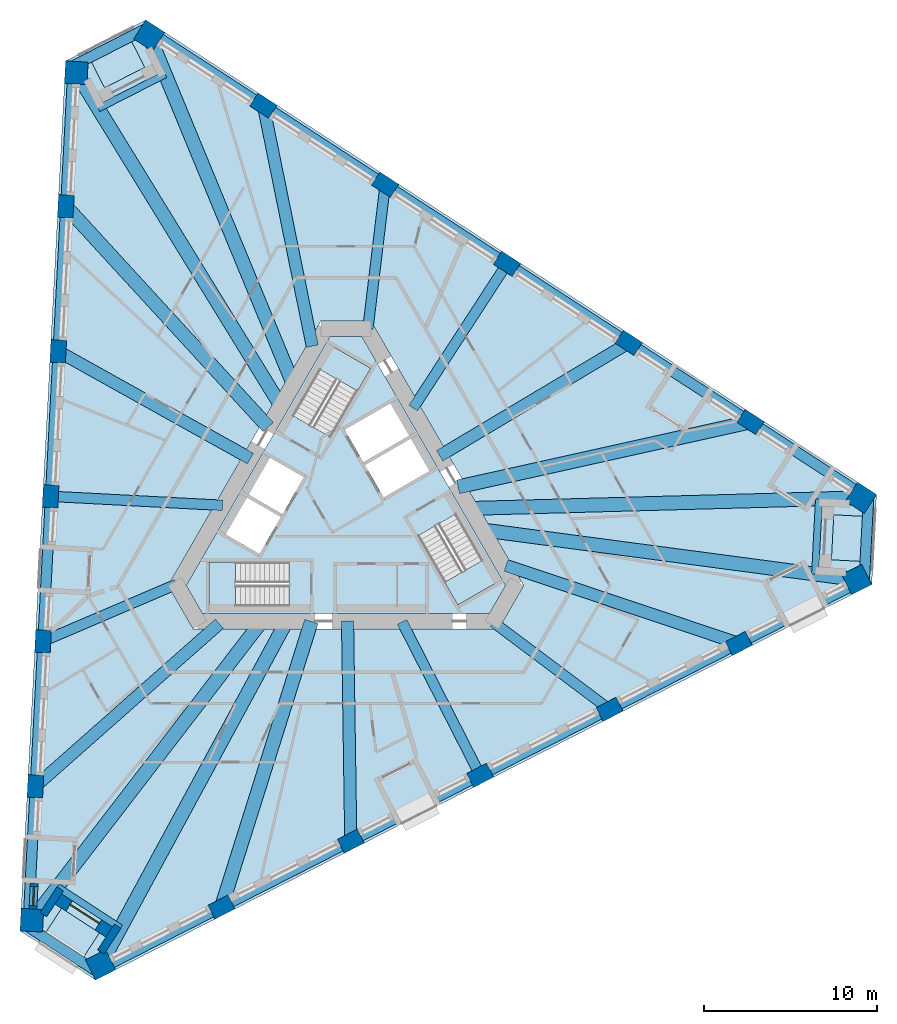
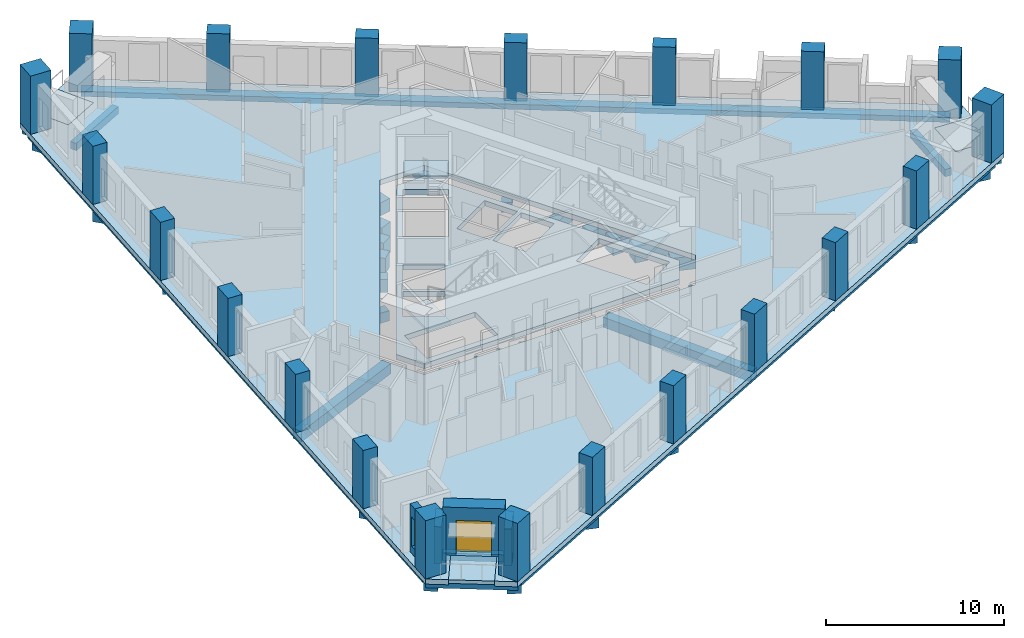
# One storey, part 1 of 13: 30 beams, 21 columns, 8 slabs, 4 walls, 1 door, 1 window, 2 openings, 3 elements without a shape of their own.
"""IFC4 building model written with IfcOpenShell, lengths in metres."""

import ifcopenshell
import ifcopenshell.guid

model = None  # the IFC model being written
_history = None  # IfcOwnerHistory: only IFC2X3 demands one
_inside = {}  # id of a spatial element -> (the spatial element, [elements in it])
_under = {}  # id of a project, library or spatial element -> (it, [spatial elements below it])
_declared = {}  # id of a project -> (the project, [libraries it declares])
_typed = {}  # id of a type object -> (the type object, [elements of that type])
_made_of = {}  # id of a material, layer set ... -> (it, [elements and type objects made of it])


def new_model(schema):
    """Start an empty IFC model of exactly this schema.

    Asked for "IFC4X3", IfcOpenShell would pick the latest addendum, in which some entities
    have other attributes; the version numbers below select the first issue.
    IFC2X3 requires an IfcOwnerHistory on every rooted entity: one is made here for all.
    """
    global model, _history
    if schema == "IFC4X3":
        model = ifcopenshell.file(schema_version=(4, 3, 0, 0))
    else:
        model = ifcopenshell.file(schema=schema)
    _inside.clear()
    _under.clear()
    _declared.clear()
    _typed.clear()
    _made_of.clear()
    _history = None
    if model.schema == "IFC2X3":
        org = make("IfcOrganization", Name="unknown")
        user = make(
            "IfcPersonAndOrganization",
            ThePerson=make("IfcPerson", FamilyName="unknown"),
            TheOrganization=org,
        )
        app = make(
            "IfcApplication",
            ApplicationDeveloper=org,
            Version="unknown",
            ApplicationFullName="unknown",
            ApplicationIdentifier="unknown",
        )
        _history = make(
            "IfcOwnerHistory",
            OwningUser=user,
            OwningApplication=app,
            ChangeAction="ADDED",
            CreationDate=0,
        )
    return model


def make(cls, **values):
    """One entity of the class cls with the attributes given. An attribute that is None is left unset."""
    return model.create_entity(
        cls, **{name: value for name, value in values.items() if value is not None}
    )


def rooted(cls, **values):
    """An entity with a GlobalId (a new one), such as an element, a storey or a relation."""
    return make(cls, GlobalId=ifcopenshell.guid.new(), OwnerHistory=_history, **values)


def si_unit(unit_type, name, prefix=None):
    """IfcSIUnit, for example si_unit("LENGTHUNIT", "METRE", prefix="MILLI")."""
    return make("IfcSIUnit", UnitType=unit_type, Prefix=prefix, Name=name)


def assignment(units):
    """IfcUnitAssignment: the units of a project."""
    return None if units is None else make("IfcUnitAssignment", Units=units)


def point(xyz):
    """IfcCartesianPoint."""
    return None if xyz is None else make("IfcCartesianPoint", Coordinates=xyz)


def direction(xyz):
    """IfcDirection."""
    return None if xyz is None else make("IfcDirection", DirectionRatios=xyz)


def frame(location, z_axis=None, x_axis=None):
    """IfcAxis2Placement3D, a coordinate frame: its origin and axes. An axis left out is left unset."""
    return make(
        "IfcAxis2Placement3D",
        Location=point(location),
        Axis=direction(z_axis),
        RefDirection=direction(x_axis),
    )


def frame_2d(location, x_axis=None):
    """IfcAxis2Placement2D, a coordinate frame in the plane: its origin and x axis."""
    return make(
        "IfcAxis2Placement2D", Location=point(location), RefDirection=direction(x_axis)
    )


def origin():
    """The frame at (0, 0, 0) with its axes left unset."""
    return frame((0.0, 0.0, 0.0))


def origin_2d():
    """The frame at (0, 0) in the plane with its x axis left unset."""
    return frame_2d((0.0, 0.0))


def place(relative_to, where):
    """IfcLocalPlacement: puts the frame where relative to a parent placement (None: the world)."""
    return make(
        "IfcLocalPlacement", PlacementRelTo=relative_to, RelativePlacement=where
    )


def context(
    kind, dimensions, precision=None, world=None, true_north=None, identifier=None
):
    """IfcGeometricRepresentationContext, for example the 3D "Model" context."""
    return make(
        "IfcGeometricRepresentationContext",
        ContextIdentifier=identifier,
        ContextType=kind,
        CoordinateSpaceDimension=dimensions,
        Precision=precision,
        WorldCoordinateSystem=world,
        TrueNorth=true_north,
    )


def subcontext(parent, identifier, kind, view, scale=None):
    """IfcGeometricRepresentationSubContext, for example "Body" below "Model"."""
    return make(
        "IfcGeometricRepresentationSubContext",
        ContextIdentifier=identifier,
        ContextType=kind,
        ParentContext=parent,
        TargetScale=scale,
        TargetView=view,
    )


def project(units=None, contexts=None):
    """IfcProject with its units and contexts."""
    return rooted(
        "IfcProject",
        Name="project",
        RepresentationContexts=contexts,
        UnitsInContext=assignment(units),
    )


def spatial(cls, under=None, at=None, **own):
    """A site, building, storey or space (cls), placed at a placement, below another one or the project."""
    s = rooted(cls, ObjectPlacement=at, **own)
    if under is not None:
        _under.setdefault(under.id(), (under, []))[1].append(s)
    return s


def polyline(points):
    """IfcPolyline through the points."""
    return make("IfcPolyline", Points=[point(p) for p in points])


def profile(cls, at=None, kind="AREA", **sizes):
    """A parametric profile (cls). Its sizes go by their IFC names, for example OverallWidth=200.0."""
    return make(cls, ProfileType=kind, Position=at, **sizes)


def rectangle(**sizes):
    """IfcRectangleProfileDef."""
    return profile("IfcRectangleProfileDef", **sizes)


def outline(outer, holes=None, kind="AREA"):
    """IfcArbitraryClosedProfileDef: a profile drawn as a closed curve; with holes, ...WithVoids."""
    if holes is None:
        return make("IfcArbitraryClosedProfileDef", ProfileType=kind, OuterCurve=outer)
    return make(
        "IfcArbitraryProfileDefWithVoids",
        ProfileType=kind,
        OuterCurve=outer,
        InnerCurves=holes,
    )


def extrude(swept, where, along, depth):
    """IfcExtrudedAreaSolid: the profile swept, set in the frame where, extruded along a direction by depth."""
    return make(
        "IfcExtrudedAreaSolid",
        SweptArea=swept,
        Position=where,
        ExtrudedDirection=direction(along),
        Depth=depth,
    )


def shape(context_of_items, identifier, shape_type, items):
    """IfcShapeRepresentation: the items that make up one representation, for example the "Body"."""
    return make(
        "IfcShapeRepresentation",
        ContextOfItems=context_of_items,
        RepresentationIdentifier=identifier,
        RepresentationType=shape_type,
        Items=items,
    )


def material(Name=None, Category=None):
    """IfcMaterial."""
    return make("IfcMaterial", Name=Name, Category=Category)


def layer(
    of_material, thickness, ventilated=None, Name=None, Category=None, Priority=None
):
    """IfcMaterialLayer: one layer of a wall or slab, of a material (None: an air gap)."""
    return make(
        "IfcMaterialLayer",
        Material=of_material,
        LayerThickness=thickness,
        IsVentilated=ventilated,
        Name=Name,
        Category=Category,
        Priority=Priority,
    )


def layer_set(layers, Name=None):
    """IfcMaterialLayerSet."""
    return make("IfcMaterialLayerSet", MaterialLayers=layers, LayerSetName=Name)


def material_profile(
    of_material, cross_section, Name=None, Category=None, Priority=None
):
    """IfcMaterialProfile: a cross section and its material."""
    return make(
        "IfcMaterialProfile",
        Name=Name,
        Material=of_material,
        Profile=cross_section,
        Priority=Priority,
        Category=Category,
    )


def profile_set(profiles, Name=None, composite=None):
    """IfcMaterialProfileSet."""
    return make(
        "IfcMaterialProfileSet",
        Name=Name,
        MaterialProfiles=profiles,
        CompositeProfile=composite,
    )


def made_of(thing, what):
    """Note that an element or type object is made of a material, layer set ...; save() writes the relation."""
    if what is not None:
        _made_of.setdefault(what.id(), (what, []))[1].append(thing)
    return thing


def type_object(cls, material=None, **own):
    """A type object (cls), such as IfcWallType, which elements share."""
    return made_of(rooted(cls, **own), material)


def element(
    cls,
    number,
    at=None,
    inside=None,
    cuts=None,
    type_object=None,
    material=None,
    context=None,
    identifier="Body",
    shape_type=None,
    held_by="IfcProductDefinitionShape",
    body=None,
    shapes=None,
    **own,
):
    """One element of the class cls, such as IfcWall. Its Tag is "e" and its number.

    at: its placement. inside: the storey or other place that contains it. cuts: it is an
    opening in that element (IfcRelVoidsElement). A single representation is given by context,
    identifier, shape_type and body (its items); several are given by shapes. held_by: the class
    of the entity that holds the representations. save() writes the other relations.
    """
    e = rooted(cls, Tag="e%d" % number, ObjectPlacement=at, **own)
    if body is not None:
        shapes = [shape(context, identifier, shape_type, body)]
    if shapes is not None:
        e.Representation = make(held_by, Representations=shapes)
    if inside is not None:
        _inside.setdefault(inside.id(), (inside, []))[1].append(e)
    if cuts is not None:
        rooted(
            "IfcRelVoidsElement", RelatingBuildingElement=cuts, RelatedOpeningElement=e
        )
    if type_object is not None:
        _typed.setdefault(type_object.id(), (type_object, []))[1].append(e)
    return made_of(e, material)


def fill(opening, filler):
    """IfcRelFillsElement: the door or window that sits in an opening."""
    return rooted(
        "IfcRelFillsElement",
        RelatingOpeningElement=opening,
        RelatedBuildingElement=filler,
    )


def aggregate(whole, parts):
    """IfcRelAggregates: a whole, such as a stair, and the parts it consists of."""
    return rooted("IfcRelAggregates", RelatingObject=whole, RelatedObjects=parts)


def save(model, path):
    """Write the relations noted so far, then the file.

    IfcRelAggregates (storeys below a building ...), IfcRelContainedInSpatialStructure (elements
    in a storey), IfcRelDefinesByType, IfcRelAssociatesMaterial and IfcRelDeclares: one each for
    every whole, place, type object, material and project.
    """
    for whole, parts in _under.values():
        aggregate(whole, parts)
    for where, things in _inside.values():
        rooted(
            "IfcRelContainedInSpatialStructure",
            RelatedElements=things,
            RelatingStructure=where,
        )
    for kind, things in _typed.values():
        rooted("IfcRelDefinesByType", RelatedObjects=things, RelatingType=kind)
    for what, things in _made_of.values():
        rooted("IfcRelAssociatesMaterial", RelatedObjects=things, RelatingMaterial=what)
    for by, libraries in _declared.values():
        rooted("IfcRelDeclares", RelatingContext=by, RelatedDefinitions=libraries)
    model.write(path)


model = new_model("IFC4")

# Units and contexts
model_context = context("Model", 3, precision=1e-05, world=origin(), true_north=direction((0.0, 1.0)))
body_context = subcontext(model_context, "Body", "Model", "MODEL_VIEW")
ifc_project = project(units=[si_unit("LENGTHUNIT", "METRE"), si_unit("AREAUNIT", "SQUARE_METRE"), si_unit("VOLUMEUNIT", "CUBIC_METRE"), si_unit("PLANEANGLEUNIT", "RADIAN"), si_unit("MASSUNIT", "GRAM", prefix="KILO")], contexts=[model_context])

# Site, building, storey
site_placement = place(None, origin())
site = spatial("IfcSite", under=ifc_project, at=site_placement, CompositionType="ELEMENT")
building_placement = place(site_placement, origin())
building = spatial("IfcBuilding", under=site, at=building_placement, Name="Tramontana Tower", CompositionType="ELEMENT")
storey_placement = place(building_placement, frame((0.0, 0.0, 145.60009765625)))
storey = spatial("IfcBuildingStorey", under=building, at=storey_placement, Name="L33", CompositionType="ELEMENT", Elevation=145.60009765625)

# Columns
ifc_material_1 = material(Name="Concrete 70 MPa", Category="concrete")
ifc_material_profile_1 = material_profile(ifc_material_1, rectangle(XDim=1.300048828125, YDim=1.300048828125, at=origin_2d()), Name="Mega column 1300X1300 70 MPa")
ifc_profile_set_1 = profile_set([ifc_material_profile_1], Name="Concrete 70 MPa")
column_type_1 = type_object("IfcColumnType", Name="Mega column 1300X1300 70 MPa", PredefinedType="COLUMN", material=ifc_profile_set_1)
for number, where, z_axis, x_axis, name in (
    (1, (-15.546630859375, 25.31298828125, 0.0), (0.0, 0.0, 1.0), (-0.052335956243, -0.998629534755, 0.0), "Mega column C3K1 L33"),
    (2, (-18.107177734375, -23.54931640625, 0.0), (0.0, 0.0, 1.0), (-0.052335956243, -0.998629534755, 0.0), "Mega column C3K2 L33"),
    (3, (-14.1484375, -26.1201171875, 0.0), (0.0, 0.0, 1.0), (0.891006524188, 0.45399049974, 0.0), "Mega column C3K3 L33"),
    (4, (29.447998046875, -3.90673828125, 0.0), (0.0, 0.0, 1.0), (0.891006524188, 0.45399049974, 0.0), "Mega column C3K4 L33"),
    (5, (29.695068359375, 0.80712890625, 0.0), (0.0, 0.0, 1.0), (-0.838670567945, 0.544639035015, 0.0), "Mega column C3K5 L33"),
    (6, (-11.340576171875, 27.4560546875, 0.0), (0.0, 0.0, 1.0), (-0.838670567945, 0.544639035015, 0.0), "Mega column C3K6 L33"),
):
    element("IfcColumn", number, at=place(storey_placement, frame(where, z_axis=z_axis, x_axis=x_axis)), inside=storey, type_object=column_type_1, Name=name, PredefinedType="COLUMN", context=body_context, shape_type="SweptSolid", body=[
        extrude(rectangle(XDim=1.300048828125, YDim=1.300048828125, at=origin_2d()), origin(), (0.0, 0.0, 1.0), 4.0),
    ])
ifc_material_2 = material(Name="Concrete 55 MPa", Category="concrete")
ifc_material_profile_2 = material_profile(ifc_material_2, rectangle(XDim=1.300048828125, YDim=0.89990234375, at=origin_2d()), Name="Pier column 1300X900 55 MPa")
ifc_profile_set_2 = profile_set([ifc_material_profile_2], Name="Concrete 55 MPa")
column_type_2 = type_object("IfcColumnType", Name="Pier column 1300X900 55 MPa", PredefinedType="COLUMN", material=ifc_profile_set_2)
for number, where, z_axis, x_axis, name in (
    (7, (-16.150390625, 17.612548828125, 0.0), (0.0, 0.0, 1.0), (-0.052335956243, -0.998629534755, 0.0), "Pier column C3F01 L33"),
    (8, (-16.58837890625, 9.25244140625, 0.0), (0.0, 0.0, 1.0), (-0.052335956243, -0.998629534755, 0.0), "Pier column C3F02 L33"),
    (9, (-17.026611328125, 0.892333984375, 0.0), (0.0, 0.0, 1.0), (-0.052335956243, -0.998629534755, 0.0), "Pier column C3F03 L33"),
    (10, (-17.46484375, -7.4677734375, 0.0), (0.0, 0.0, 1.0), (-0.052335956243, -0.998629534755, 0.0), "Pier column C3F04 L33"),
    (11, (-17.90283203125, -15.827880859375, 0.0), (0.0, 0.0, 1.0), (-0.052335956243, -0.998629534755, 0.0), "Pier column C3F05 L33"),
    (12, (-7.177734375, -22.79296875, 0.0), (0.0, 0.0, 1.0), (0.891006524188, 0.45399049974, 0.0), "Pier column C3F06 L33"),
    (13, (0.281494140625, -18.9921875, 0.0), (0.0, 0.0, 1.0), (0.891006524188, 0.45399049974, 0.0), "Pier column C3F07 L33"),
    (14, (7.740478515625, -15.191650390625, 0.0), (0.0, 0.0, 1.0), (0.891006524188, 0.45399049974, 0.0), "Pier column C3F08 L33"),
    (15, (15.19970703125, -11.39111328125, 0.0), (0.0, 0.0, 1.0), (0.891006524188, 0.45399049974, 0.0), "Pier column C3F09 L33"),
    (16, (22.65869140625, -7.59033203125, 0.0), (0.0, 0.0, 1.0), (0.891006524188, 0.45399049974, 0.0), "Pier column C3F10 L33"),
    (17, (23.328125, 5.180419921875, 0.0), (0.0, 0.0, 1.0), (-0.838670567945, 0.544639035015, 0.0), "Pier column C3F11 L33"),
    (18, (16.30712890625, 9.73974609375, 0.0), (0.0, 0.0, 1.0), (-0.838670567945, 0.544639035015, 0.0), "Pier column C3F12 L33"),
    (19, (9.2861328125, 14.29931640625, 0.0), (0.0, 0.0, 1.0), (-0.838670567945, 0.544639035015, 0.0), "Pier column C3F13 L33"),
    (20, (2.26513671875, 18.85888671875, 0.0), (0.0, 0.0, 1.0), (-0.838670567945, 0.544639035015, 0.0), "Pier column C3F14 L33"),
    (21, (-4.755859375, 23.418212890625, 0.0), (0.0, 0.0, 1.0), (-0.838670567945, 0.544639035015, 0.0), "Pier column C3F15 L33"),
):
    element("IfcColumn", number, at=place(storey_placement, frame(where, z_axis=z_axis, x_axis=x_axis)), inside=storey, type_object=column_type_2, Name=name, PredefinedType="COLUMN", context=body_context, shape_type="SweptSolid", body=[
        extrude(rectangle(XDim=1.300048828125, YDim=0.89990234375, at=origin_2d()), origin(), (0.0, 0.0, 1.0), 4.0),
    ])

# Beams
ifc_material_3 = material(Name="Concrete 40 MPa", Category="concrete")
ifc_material_profile_3 = material_profile(ifc_material_3, rectangle(XDim=0.60009765625, YDim=0.35009765625, at=origin_2d()), Name="RC EDGE BEAM 600X350 40 MPa")
ifc_profile_set_3 = profile_set([ifc_material_profile_3], Name="Concrete 40 MPa")
beam_type_1 = type_object("IfcBeamType", Name="RC EDGE BEAM 600X350 40 MPa", PredefinedType="SPANDREL", material=ifc_profile_set_3)
for number, where, z_axis, x_axis, name in (
    (22, (-15.74609375, 25.323486328125, -0.525146484375), (-0.052336488944, -0.998629506837, 0.0), (0.998629506837, -0.052336488944, 0.0), "Spandrel beam S0 L33"),
    (23, (-14.0576171875, -26.29833984375, -0.525146484375), (0.89100747088, 0.453988641748, 0.0), (-0.453988641748, 0.89100747088, 0.0), "Spandrel beam S1 L33"),
    (24, (29.803955078125, 0.974853515625, -0.525146484375), (-0.838669945923, 0.544639992844, 0.0), (-0.544639992844, -0.838669945923, 0.0), "Spandrel beam S2 L33"),
):
    element("IfcBeam", number, at=place(storey_placement, frame(where, z_axis=z_axis, x_axis=x_axis)), inside=storey, type_object=beam_type_1, Name=name, PredefinedType="SPANDREL", context=body_context, shape_type="SweptSolid", body=[
        extrude(rectangle(XDim=0.60009765625, YDim=0.35009765625, at=origin_2d()), origin(), (0.0, 0.0, 1.0), 48.929443359375),
    ])
for number, where, z_axis, x_axis, name in (
    (25, (-11.327392578125, 27.9541015625, -0.525146484375), (-0.891018699398, -0.453966603753, 0.0), (0.453966603753, -0.891018699398, 0.0), "Spandrel beam K0 L33"),
    (26, (-18.54541015625, -23.787109375, -0.525146484375), (0.838668969916, -0.544641495757, 0.0), (0.544641495757, 0.838668969916, 0.0), "Spandrel beam K1 L33"),
):
    element("IfcBeam", number, at=place(storey_placement, frame(where, z_axis=z_axis, x_axis=x_axis)), inside=storey, type_object=beam_type_1, Name=name, PredefinedType="SPANDREL", context=body_context, shape_type="SweptSolid", body=[
        extrude(rectangle(XDim=0.60009765625, YDim=0.35009765625, at=origin_2d()), origin(), (0.0, 0.0, 1.0), 5.1962890625),
    ])
beam_1_placement = place(storey_placement, frame((29.872802734375, -4.167236328125, -0.525146484375), z_axis=(0.052341816109, 0.998629227635, 0.0), x_axis=(-0.998629227635, 0.052341816109, 0.0)))
element("IfcBeam", 27, at=beam_1_placement, inside=storey, type_object=beam_type_1, Name="Spandrel beam K2 L33", PredefinedType="SPANDREL", context=body_context, shape_type="SweptSolid", body=[
    extrude(rectangle(XDim=0.60009765625, YDim=0.35009765625, at=origin_2d()), origin(), (0.0, 0.0, 1.0), 5.196044921875),
])
ifc_material_4 = material(Name="Concrete 40 MPa", Category="concrete")
ifc_material_profile_4 = material_profile(ifc_material_4, rectangle(XDim=0.60009765625, YDim=0.699951171875, at=origin_2d()), Name="RC GIRDER 600X700 40 MPa")
ifc_profile_set_4 = profile_set([ifc_material_profile_4], Name="Concrete 40 MPa")
beam_type_2 = type_object("IfcBeamType", Name="RC GIRDER 600X700 40 MPa", PredefinedType="BEAM", material=ifc_profile_set_4)
beam_2_placement = place(storey_placement, frame((-17.026611328125, 0.892333984375, -0.7001953125), z_axis=(0.998628816447, -0.052349660575, 0.0), x_axis=(0.052349660575, 0.998628816447, 0.0)))
element("IfcBeam", 28, at=beam_2_placement, inside=storey, type_object=beam_type_2, Name="Radial girder C3F03 L33", PredefinedType="BEAM", context=body_context, shape_type="SweptSolid", body=[
    extrude(rectangle(XDim=0.60009765625, YDim=0.699951171875, at=origin_2d()), origin(), (0.0, 0.0, 1.0), 9.92431640625),
])
beam_3_placement = place(storey_placement, frame((-17.46484375, -7.4677734375, -0.7001953125), z_axis=(0.919473795441, 0.393151293394, 0.0), x_axis=(-0.393151293394, 0.919473795441, 0.0)))
element("IfcBeam", 29, at=beam_3_placement, inside=storey, type_object=beam_type_2, Name="Radial girder C3F04 L33", PredefinedType="BEAM", context=body_context, shape_type="SweptSolid", body=[
    extrude(rectangle(XDim=0.60009765625, YDim=0.699951171875, at=origin_2d()), origin(), (0.0, 0.0, 1.0), 8.365234375),
])
beam_4_placement = place(storey_placement, frame((7.740478515625, -15.191650390625, -0.7001953125), z_axis=(-0.453980690523, 0.891011522166, 0.0), x_axis=(-0.891011522166, -0.453980690523, 0.0)))
element("IfcBeam", 30, at=beam_4_placement, inside=storey, type_object=beam_type_2, Name="Radial girder C3F08 L33", PredefinedType="BEAM", context=body_context, shape_type="SweptSolid", body=[
    extrude(rectangle(XDim=0.60009765625, YDim=0.699951171875, at=origin_2d()), origin(), (0.0, 0.0, 1.0), 9.924072265625),
])
beam_5_placement = place(storey_placement, frame((15.19970703125, -11.39111328125, -0.7001953125), z_axis=(-0.800213580839, 0.599715119904, 0.0), x_axis=(-0.599715119904, -0.800213580839, 0.0)))
element("IfcBeam", 31, at=beam_5_placement, inside=storey, type_object=beam_type_2, Name="Radial girder C3F09 L33", PredefinedType="BEAM", context=body_context, shape_type="SweptSolid", body=[
    extrude(rectangle(XDim=0.60009765625, YDim=0.699951171875, at=origin_2d()), origin(), (0.0, 0.0, 1.0), 8.365478515625),
])
beam_6_placement = place(storey_placement, frame((9.2861328125, 14.29931640625, -0.7001953125), z_axis=(-0.54464589271, -0.838666114466, 0.0), x_axis=(0.838666114466, -0.54464589271, 0.0)))
element("IfcBeam", 32, at=beam_6_placement, inside=storey, type_object=beam_type_2, Name="Radial girder C3F13 L33", PredefinedType="BEAM", context=body_context, shape_type="SweptSolid", body=[
    extrude(rectangle(XDim=0.60009765625, YDim=0.699951171875, at=origin_2d()), origin(), (0.0, 0.0, 1.0), 9.92431640625),
])
beam_7_placement = place(storey_placement, frame((2.26513671875, 18.85888671875, -0.7001953125), z_axis=(-0.119248793527, -0.992864404258, 0.0), x_axis=(0.992864404258, -0.119248793527, 0.0)))
element("IfcBeam", 33, at=beam_7_placement, inside=storey, type_object=beam_type_2, Name="Radial girder C3F14 L33", PredefinedType="BEAM", context=body_context, shape_type="SweptSolid", body=[
    extrude(rectangle(XDim=0.60009765625, YDim=0.699951171875, at=origin_2d()), origin(), (0.0, 0.0, 1.0), 8.365234375),
])
ifc_material_5 = material(Name="Concrete 40 MPa", Category="concrete")
ifc_material_profile_5 = material_profile(ifc_material_5, rectangle(XDim=0.699951171875, YDim=0.89990234375, at=origin_2d()), Name="RC GIRDER 700X900 40 MPa")
ifc_profile_set_5 = profile_set([ifc_material_profile_5], Name="Concrete 40 MPa")
beam_type_3 = type_object("IfcBeamType", Name="RC GIRDER 700X900 40 MPa", PredefinedType="BEAM", material=ifc_profile_set_5)
beam_8_placement = place(storey_placement, frame((-16.58837890625, 9.25244140625, -0.800048828125), z_axis=(0.873332247198, -0.487125020917, 0.0), x_axis=(0.487125020917, 0.873332247198, 0.0)))
element("IfcBeam", 34, at=beam_8_placement, inside=storey, type_object=beam_type_3, Name="Radial girder C3F02 L33", PredefinedType="BEAM", context=body_context, shape_type="SweptSolid", body=[
    extrude(rectangle(XDim=0.699951171875, YDim=0.89990234375, at=origin_2d()), origin(), (0.0, 0.0, 1.0), 12.693603515625),
])
beam_9_placement = place(storey_placement, frame((-17.90283203125, -15.827880859375, -0.800048828125), z_axis=(0.74918417634, 0.662361736456, 0.0), x_axis=(-0.662361736456, 0.74918417634, 0.0)))
element("IfcBeam", 35, at=beam_9_placement, inside=storey, type_object=beam_type_3, Name="Radial girder C3F05 L33", PredefinedType="BEAM", context=body_context, shape_type="SweptSolid", body=[
    extrude(rectangle(XDim=0.699951171875, YDim=0.89990234375, at=origin_2d()), origin(), (0.0, 0.0, 1.0), 14.1552734375),
])
beam_10_placement = place(storey_placement, frame((0.281494140625, -18.9921875, -0.800048828125), z_axis=(-0.014829000023, 0.999890044334, 0.0), x_axis=(-0.999890044334, -0.014829000023, 0.0)))
element("IfcBeam", 36, at=beam_10_placement, inside=storey, type_object=beam_type_3, Name="Radial girder C3F07 L33", PredefinedType="BEAM", context=body_context, shape_type="SweptSolid", body=[
    extrude(rectangle(XDim=0.699951171875, YDim=0.89990234375, at=origin_2d()), origin(), (0.0, 0.0, 1.0), 12.693603515625),
])
beam_11_placement = place(storey_placement, frame((22.65869140625, -7.59033203125, -0.800048828125), z_axis=(-0.948211400457, 0.317639953476, 0.0), x_axis=(-0.317639953476, -0.948211400457, 0.0)))
element("IfcBeam", 37, at=beam_11_placement, inside=storey, type_object=beam_type_3, Name="Radial girder C3F10 L33", PredefinedType="BEAM", context=body_context, shape_type="SweptSolid", body=[
    extrude(rectangle(XDim=0.699951171875, YDim=0.89990234375, at=origin_2d()), origin(), (0.0, 0.0, 1.0), 14.155517578125),
])
beam_12_placement = place(storey_placement, frame((16.30712890625, 9.73974609375, -0.800048828125), z_axis=(-0.858533155932, -0.512758052268, 0.0), x_axis=(0.512758052268, -0.858533155932, 0.0)))
element("IfcBeam", 38, at=beam_12_placement, inside=storey, type_object=beam_type_3, Name="Radial girder C3F12 L33", PredefinedType="BEAM", context=body_context, shape_type="SweptSolid", body=[
    extrude(rectangle(XDim=0.699951171875, YDim=0.89990234375, at=origin_2d()), origin(), (0.0, 0.0, 1.0), 12.693603515625),
])
beam_13_placement = place(storey_placement, frame((-4.755859375, 23.418212890625, -0.800048828125), z_axis=(0.199014115168, -0.979996623445, 0.0), x_axis=(0.979996623445, 0.199014115168, 0.0)))
element("IfcBeam", 39, at=beam_13_placement, inside=storey, type_object=beam_type_3, Name="Radial girder C3F15 L33", PredefinedType="BEAM", context=body_context, shape_type="SweptSolid", body=[
    extrude(rectangle(XDim=0.699951171875, YDim=0.89990234375, at=origin_2d()), origin(), (0.0, 0.0, 1.0), 14.155517578125),
])
ifc_material_6 = material(Name="Concrete 40 MPa", Category="concrete")
ifc_material_profile_6 = material_profile(ifc_material_6, rectangle(XDim=0.800048828125, YDim=1.10009765625, at=origin_2d()), Name="RC GIRDER 800X1100 40 MPa")
ifc_profile_set_6 = profile_set([ifc_material_profile_6], Name="Concrete 40 MPa")
beam_type_4 = type_object("IfcBeamType", Name="RC GIRDER 800X1100 40 MPa", PredefinedType="BEAM", material=ifc_profile_set_6)
beam_14_placement = place(storey_placement, frame((-15.54638671875, 25.31298828125, -0.900146484375), z_axis=(0.523345221795, -0.852120753664, 0.0), x_axis=(0.852120753664, 0.523345221795, 0.0)))
element("IfcBeam", 40, at=beam_14_placement, inside=storey, type_object=beam_type_4, Name="Radial girder C3K1 L33", PredefinedType="BEAM", context=body_context, shape_type="SweptSolid", body=[
    extrude(rectangle(XDim=0.800048828125, YDim=1.10009765625, at=origin_2d()), origin(), (0.0, 0.0, 1.0), 22.479248046875),
])
beam_15_placement = place(storey_placement, frame((-16.150390625, 17.612548828125, -0.900146484375), z_axis=(0.675852012308, -0.737037351469, 0.0), x_axis=(0.737037351469, 0.675852012308, 0.0)))
element("IfcBeam", 41, at=beam_15_placement, inside=storey, type_object=beam_type_4, Name="Radial girder C3F01 L33", PredefinedType="BEAM", context=body_context, shape_type="SweptSolid", body=[
    extrude(rectangle(XDim=0.800048828125, YDim=1.10009765625, at=origin_2d()), origin(), (0.0, 0.0, 1.0), 17.26953125),
])
beam_16_placement = place(storey_placement, frame((-18.107421875, -23.54931640625, -0.900146484375), z_axis=(0.609557551485, 0.792741818896, 0.0), x_axis=(-0.792741818896, 0.609557551485, 0.0)))
element("IfcBeam", 42, at=beam_16_placement, inside=storey, type_object=beam_type_4, Name="Radial girder C3K2 L33", PredefinedType="BEAM", context=body_context, shape_type="SweptSolid", body=[
    extrude(rectangle(XDim=0.800048828125, YDim=1.10009765625, at=origin_2d()), origin(), (0.0, 0.0, 1.0), 21.641357421875),
])
beam_17_placement = place(storey_placement, frame((-14.1484375, -26.1201171875, -0.900146484375), z_axis=(0.476284198163, 0.879291397991, 0.0), x_axis=(-0.879291397991, 0.476284198163, 0.0)))
element("IfcBeam", 43, at=beam_17_placement, inside=storey, type_object=beam_type_4, Name="Radial girder C3K3 L33", PredefinedType="BEAM", context=body_context, shape_type="SweptSolid", body=[
    extrude(rectangle(XDim=0.800048828125, YDim=1.10009765625, at=origin_2d()), origin(), (0.0, 0.0, 1.0), 22.479248046875),
])
beam_18_placement = place(storey_placement, frame((-7.177734375, -22.79296875, -0.900146484375), z_axis=(0.300368764095, 0.953823152139, 0.0), x_axis=(-0.953823152139, 0.300368764095, 0.0)))
element("IfcBeam", 44, at=beam_18_placement, inside=storey, type_object=beam_type_4, Name="Radial girder C3F06 L33", PredefinedType="BEAM", context=body_context, shape_type="SweptSolid", body=[
    extrude(rectangle(XDim=0.800048828125, YDim=1.10009765625, at=origin_2d()), origin(), (0.0, 0.0, 1.0), 17.26953125),
])
beam_19_placement = place(storey_placement, frame((29.447998046875, -3.90673828125, -0.900146484375), z_axis=(-0.991313997986, 0.131516376914, 0.0), x_axis=(-0.131516376914, -0.991313997986, 0.0)))
element("IfcBeam", 45, at=beam_19_placement, inside=storey, type_object=beam_type_4, Name="Radial girder C3K4 L33", PredefinedType="BEAM", context=body_context, shape_type="SweptSolid", body=[
    extrude(rectangle(XDim=0.800048828125, YDim=1.10009765625, at=origin_2d()), origin(), (0.0, 0.0, 1.0), 21.641357421875),
])
beam_20_placement = place(storey_placement, frame((29.695068359375, 0.80712890625, -0.900146484375), z_axis=(-0.999630732276, -0.027173499768, 0.0), x_axis=(0.027173499768, -0.999630732276, 0.0)))
element("IfcBeam", 46, at=beam_20_placement, inside=storey, type_object=beam_type_4, Name="Radial girder C3K5 L33", PredefinedType="BEAM", context=body_context, shape_type="SweptSolid", body=[
    extrude(rectangle(XDim=0.800048828125, YDim=1.10009765625, at=origin_2d()), origin(), (0.0, 0.0, 1.0), 22.479248046875),
])
beam_21_placement = place(storey_placement, frame((23.328125, 5.180419921875, -0.900146484375), z_axis=(-0.976217985391, -0.216791247516, 0.0), x_axis=(0.216791247516, -0.976217985391, 0.0)))
element("IfcBeam", 47, at=beam_21_placement, inside=storey, type_object=beam_type_4, Name="Radial girder C3F11 L33", PredefinedType="BEAM", context=body_context, shape_type="SweptSolid", body=[
    extrude(rectangle(XDim=0.800048828125, YDim=1.10009765625, at=origin_2d()), origin(), (0.0, 0.0, 1.0), 17.26953125),
])
beam_22_placement = place(storey_placement, frame((-11.3408203125, 27.4560546875, -0.900146484375), z_axis=(0.381767486968, -0.924258397795, 0.0), x_axis=(0.924258397795, 0.381767486968, 0.0)))
element("IfcBeam", 48, at=beam_22_placement, inside=storey, type_object=beam_type_4, Name="Radial girder C3K6 L33", PredefinedType="BEAM", context=body_context, shape_type="SweptSolid", body=[
    extrude(rectangle(XDim=0.800048828125, YDim=1.10009765625, at=origin_2d()), origin(), (0.0, 0.0, 1.0), 21.641357421875),
])
ifc_material_7 = material(Name="Concrete 40 MPa", Category="concrete")
ifc_material_profile_7 = material_profile(ifc_material_7, rectangle(XDim=0.39990234375, YDim=0.5, at=origin_2d()), Name="RC TRIM BEAM 400X500 40 MPa")
ifc_profile_set_7 = profile_set([ifc_material_profile_7], Name="Concrete 40 MPa")
beam_type_5 = type_object("IfcBeamType", Name="RC TRIM BEAM 400X500 40 MPa", PredefinedType="JOIST", material=ifc_profile_set_7)
for number, where, z_axis, x_axis, name in (
    (49, (-10.4169921875, 25.219482421875, -0.60009765625), (-0.891023167183, -0.453957834544, 0.0), (0.453957834544, -0.891023167183, 0.0), "Trimmer beam K0 L33"),
    (50, (-16.63232421875, -21.631103515625, -0.60009765625), (0.838651964019, -0.544667681479, 0.0), (0.544667681479, 0.838651964019, 0.0), "Trimmer beam K1 L33"),
    (51, (27.04931640625, -3.58837890625, -0.60009765625), (0.052310576439, 0.99863086453, 0.0), (-0.99863086453, 0.052310576439, 0.0), "Trimmer beam K2 L33"),
):
    element("IfcBeam", number, at=place(storey_placement, frame(where, z_axis=z_axis, x_axis=x_axis)), inside=storey, type_object=beam_type_5, Name=name, PredefinedType="JOIST", context=body_context, shape_type="SweptSolid", body=[
        extrude(rectangle(XDim=0.39990234375, YDim=0.5, at=origin_2d()), origin(), (0.0, 0.0, 1.0), 4.335693359375),
    ])

# Slabs
ifc_material_8 = material(Name="Precast concrete 50 MPa", Category="concrete")
ifc_layer_1 = layer(ifc_material_8, 0.25)
ifc_layer_set_1 = layer_set([ifc_layer_1], Name="LT1 Loggia floor tray 250")
slab_type_1 = type_object("IfcSlabType", Name="LT1 Loggia floor tray 250", PredefinedType="FLOOR", material=ifc_layer_set_1)
slab_1_placement = place(storey_placement, frame((0.0, 0.0, -0.25)))
element("IfcSlab", 52, at=slab_1_placement, inside=storey, type_object=slab_type_1, Name="Corner loggia floor L33 K30", PredefinedType="FLOOR", context=body_context, shape_type="SweptSolid", body=[
    extrude(outline(polyline([(-12.6884765625, 27.765869140625), (-11.598876953125, 25.62744140625), (-13.91552734375, 24.447021484375), (-15.005126953125, 26.58544921875), (-12.6884765625, 27.765869140625)])), origin(), (0.0, 0.0, 1.0), 0.25),
])
slab_2_placement = place(storey_placement, frame((0.0, 0.0, -0.25)))
element("IfcSlab", 53, at=slab_2_placement, inside=storey, type_object=slab_type_1, Name="Corner loggia floor L33 K31", PredefinedType="FLOOR", context=body_context, shape_type="SweptSolid", body=[
    extrude(outline(polyline([(-17.70166015625, -24.871337890625), (-16.39453125, -22.858642578125), (-14.214111328125, -24.274658203125), (-15.521240234375, -26.28759765625), (-17.70166015625, -24.871337890625)])), origin(), (0.0, 0.0, 1.0), 0.25),
])
slab_3_placement = place(storey_placement, frame((0.0, 0.0, -0.25)))
element("IfcSlab", 54, at=slab_3_placement, inside=storey, type_object=slab_type_1, Name="Corner loggia floor L33 K32", PredefinedType="FLOOR", context=body_context, shape_type="SweptSolid", body=[
    extrude(outline(polyline([(30.39013671875, -2.89453125), (27.993408203125, -2.768798828125), (28.129638671875, -0.17236328125), (30.526123046875, -0.298095703125), (30.39013671875, -2.89453125)])), origin(), (0.0, 0.0, 1.0), 0.25),
])
ifc_material_9 = material(Name="Concrete 40 MPa", Category="concrete")
ifc_layer_2 = layer(ifc_material_9, 0.35009765625)
ifc_layer_set_2 = layer_set([ifc_layer_2], Name="PT FLAT SLAB 350 40 MPa")
slab_type_2 = type_object("IfcSlabType", Name="PT FLAT SLAB 350 40 MPa", PredefinedType="FLOOR", material=ifc_layer_set_2)
slab_4_placement = place(storey_placement, frame((0.0, 0.0, -0.35009765625)))
element("IfcSlab", 55, at=slab_4_placement, inside=storey, type_object=slab_type_2, Name="Floor slab L33", PredefinedType="FLOOR", context=body_context, shape_type="SweptSolid", body=[
    extrude(outline(polyline([(30.526123046875, -0.298095703125), (28.12939453125, -0.17236328125), (27.993408203125, -2.768798828125), (30.39013671875, -2.89453125), (30.322265625, -4.19091796875), (-14.4326171875, -26.994384765625), (-15.521240234375, -26.28759765625), (-14.214111328125, -24.274658203125), (-16.39453125, -22.858642578125), (-17.701904296875, -24.871337890625), (-18.790283203125, -24.164306640625), (-16.16162109375, 25.99609375), (-15.0048828125, 26.58544921875), (-13.915283203125, 24.447021484375), (-11.598876953125, 25.62744140625), (-12.6884765625, 27.765869140625), (-11.53173828125, 28.355224609375), (30.59423828125, 0.998291015625), (30.526123046875, -0.298095703125)]), holes=[polyline([(-10.248046875, -4.25), (-8.8046875, -6.75), (8.8046875, -6.75), (10.248046875, -4.25), (1.443359375, 11.0), (-1.443359375, 11.0), (-10.248046875, -4.25)])]), origin(), (0.0, 0.0, 1.0), 0.35009765625),
])
slab_5_placement = place(storey_placement, frame((0.0, 0.0, -0.35009765625)))
element("IfcSlab", 56, at=slab_5_placement, inside=storey, type_object=slab_type_2, Name="Core floor slab L33", PredefinedType="FLOOR", context=body_context, shape_type="SweptSolid", body=[
    extrude(outline(polyline([(9.208740234375, -4.25), (8.284912109375, -5.85009765625), (-8.284912109375, -5.85009765625), (-9.208740234375, -4.25), (-0.923828125, 10.10009765625), (0.923828125, 10.10009765625), (9.208740234375, -4.25)]), holes=[polyline([(8.659912109375, -4.099365234375), (6.35986328125, -0.115478515625), (4.151611328125, -1.390625), (6.451416015625, -5.374267578125), (8.659912109375, -4.099365234375)]), polyline([(3.829833984375, 4.2666015625), (1.101806640625, 2.69140625), (2.177001953125, 0.82958984375), (4.90478515625, 2.404541015625), (3.829833984375, 4.2666015625)]), polyline([(2.65478515625, 6.3017578125), (-0.072998046875, 4.726806640625), (1.001953125, 2.86474609375), (3.729736328125, 4.439697265625), (2.65478515625, 6.3017578125)]), polyline([(-0.77978515625, 9.54931640625), (-3.079833984375, 5.565673828125), (-0.87158203125, 4.29052734375), (1.428466796875, 8.2744140625), (-0.77978515625, 9.54931640625)]), polyline([(-5.689697265625, 1.044921875), (-3.65478515625, -0.130126953125), (-2.4296875, 1.99169921875), (-4.46484375, 3.166748046875), (-5.689697265625, 1.044921875)]), polyline([(-3.280029296875, -5.449951171875), (-3.280029296875, -2.89990234375), (-7.8798828125, -2.89990234375), (-7.8798828125, -5.449951171875), (-3.280029296875, -5.449951171875)]), polyline([(-7.014892578125, -1.25), (-4.979736328125, -2.425048828125), (-3.754638671875, -0.30322265625), (-5.789794921875, 0.87158203125), (-7.014892578125, -1.25)])]), origin(), (0.0, 0.0, 1.0), 0.35009765625),
])

# Stair, slab
ifc_material_10 = material(Name="Concrete 40 MPa", Category="concrete")
stair_type = type_object("IfcStairType", Name="EXIT STAIR 24 RISERS", PredefinedType="HALF_TURN_STAIR", material=ifc_material_10)
stair_1_placement = place(storey_placement, origin())
stair_1 = element("IfcStair", 57, at=stair_1_placement, inside=storey, type_object=stair_type, Name="L33 Exit stair ST1", PredefinedType="HALF_TURN_STAIR")
ifc_material_11 = material(Name="Concrete 40 MPa", Category="concrete")
ifc_layer_3 = layer(ifc_material_11, 0.199951171875)
ifc_layer_set_3 = layer_set([ifc_layer_3], Name="STAIR LANDING 200")
slab_type_3 = type_object("IfcSlabType", Name="STAIR LANDING 200", PredefinedType="LANDING", material=ifc_layer_set_3)
slab_6_placement = place(storey_placement, frame((0.0, 0.0, 1.7998046875)))
slab_6 = element("IfcSlab", 58, at=slab_6_placement, type_object=slab_type_3, Name="ST1 landing 1", PredefinedType="LANDING", context=body_context, shape_type="SweptSolid", body=[
    extrude(outline(polyline([(0.66845703125, 6.9580078125), (1.428466796875, 8.274169921875), (-0.77978515625, 9.54931640625), (-1.539794921875, 8.23291015625), (0.66845703125, 6.9580078125)])), origin(), (0.0, 0.0, 1.0), 0.2001953125),
])
aggregate(stair_1, [slab_6])

stair_2_placement = place(storey_placement, origin())
stair_2 = element("IfcStair", 59, at=stair_2_placement, inside=storey, type_object=stair_type, Name="L33 Exit stair ST2", PredefinedType="HALF_TURN_STAIR")
slab_7_placement = place(storey_placement, frame((0.0, 0.0, 1.7998046875)))
slab_7 = element("IfcSlab", 60, at=slab_7_placement, type_object=slab_type_3, Name="ST2 landing 1", PredefinedType="LANDING", context=body_context, shape_type="SweptSolid", body=[
    extrude(outline(polyline([(-6.360107421875, -2.89990234375), (-7.8798828125, -2.89990234375), (-7.8798828125, -5.449951171875), (-6.360107421875, -5.449951171875), (-6.360107421875, -2.89990234375)])), origin(), (0.0, 0.0, 1.0), 0.2001953125),
])
aggregate(stair_2, [slab_7])

stair_3_placement = place(storey_placement, origin())
stair_3 = element("IfcStair", 61, at=stair_3_placement, inside=storey, type_object=stair_type, Name="L33 Exit stair ST3", PredefinedType="HALF_TURN_STAIR")
slab_8_placement = place(storey_placement, frame((0.0, 0.0, 1.7998046875)))
slab_8 = element("IfcSlab", 62, at=slab_8_placement, type_object=slab_type_3, Name="ST3 landing 1", PredefinedType="LANDING", context=body_context, shape_type="SweptSolid", body=[
    extrude(outline(polyline([(5.69140625, -4.057861328125), (6.451416015625, -5.374267578125), (8.659912109375, -4.099365234375), (7.89990234375, -2.782958984375), (5.69140625, -4.057861328125)])), origin(), (0.0, 0.0, 1.0), 0.2001953125),
])
aggregate(stair_3, [slab_8])

# Wall, opening, window
ifc_material_12 = material(Name="Precast concrete 60 MPa", Category="concrete")
ifc_layer_4 = layer(ifc_material_12, 0.449951171875)
ifc_layer_set_4 = layer_set([ifc_layer_4], Name="Precast concrete 60 MPa, 450 mm")
wall_type_1 = type_object("IfcWallType", Name="EW1 Stone-faced precast wall 450", PredefinedType="SOLIDWALL", material=ifc_layer_set_4)
wall_1_placement = place(storey_placement, frame((-17.97021484375, -21.4130859375, 0.0), z_axis=(0.0, 0.0, 1.0), x_axis=(-0.052412688754, -0.998625510418, 0.0)))
wall_1 = element("IfcWall", 63, at=wall_1_placement, inside=storey, type_object=wall_type_1, Name="External wall L33 face 0 bay 6", PredefinedType="SOLIDWALL", context=body_context, shape_type="SweptSolid", body=[
    extrude(rectangle(XDim=1.490478515625, YDim=0.449951171875, at=frame_2d((0.7451171875, 0.0))), origin(), (0.0, 0.0, 1.0), 3.2998046875),
])
opening_1_placement = place(wall_1_placement, frame((0.1953125, 0.0, 0.5)))
opening_1 = element("IfcOpeningElement", 64, at=opening_1_placement, cuts=wall_1, Name="Opening N2L", PredefinedType="OPENING", context=body_context, shape_type="SweptSolid", body=[
    extrude(rectangle(XDim=1.10009765625, YDim=2.0, at=frame_2d((0.550048828125, 1.0))), frame((0.0, 0.23486328125, 0.0), z_axis=(0.0, -1.0, 0.0), x_axis=(1.0, 0.0, 0.0)), (0.0, 0.0, 1.0), 0.469970703125),
])
ifc_material_13 = material(Name="Aluminum frame, double glazing unit", Category="aluminium")
window_type = type_object("IfcWindowType", Name="N2L Window 1.1 x 2", PartitioningType="SINGLE_PANEL", PredefinedType="WINDOW", material=ifc_material_13)
window_placement = place(opening_1_placement, origin())
window = element("IfcWindow", 65, at=window_placement, inside=storey, type_object=window_type, Name="Window N2L L33 face 0 module 18", OverallHeight=2.0, OverallWidth=1.10009765625, PartitioningType="SINGLE_PANEL", PredefinedType="WINDOW", context=body_context, shape_type="SweptSolid", body=[
    extrude(rectangle(XDim=1.10009765625, YDim=2.0, at=frame_2d((0.550048828125, 1.0))), frame((0.0, 0.030029296875, 0.0), z_axis=(0.0, -1.0, 0.0), x_axis=(1.0, 0.0, 0.0)), (0.0, 0.0, 1.0), 0.06005859375),
])
fill(opening_1, window)

# Walls
for number, where, z_axis, x_axis, name in (
    (66, (-14.126708984375, -25.379638671875, 0.0), (0.0, 0.0, 1.0), (0.544621738408, 0.83868180024, 0.0), "Corner loggia side wall L33 K31l"),
    (67, (-17.439697265625, -23.228271484375, 0.0), (0.0, 0.0, 1.0), (0.544718245588, 0.838619122679, 0.0), "Corner loggia side wall L33 K31r"),
):
    element("IfcWall", number, at=place(storey_placement, frame(where, z_axis=z_axis, x_axis=x_axis)), inside=storey, type_object=wall_type_1, Name=name, PredefinedType="SOLIDWALL", context=body_context, shape_type="SweptSolid", body=[
        extrude(rectangle(XDim=1.779296875, YDim=0.449951171875, at=frame_2d((0.8896484375, 0.0))), origin(), (0.0, 0.0, 1.0), 2.5498046875),
    ])

# Wall, opening, door
ifc_material_14 = material(Name="Precast concrete 60 MPa", Category="concrete")
ifc_layer_5 = layer(ifc_material_14, 0.89990234375)
ifc_layer_set_5 = layer_set([ifc_layer_5], Name="EW2 Stone-faced corner loggia wall 900")
wall_type_2 = type_object("IfcWallType", Name="EW2 Stone-faced corner loggia wall 900", PredefinedType="SOLIDWALL", material=ifc_layer_set_5)
wall_2_placement = place(storey_placement, frame((-13.591552734375, -24.142333984375, 0.0), z_axis=(0.0, 0.0, 1.0), x_axis=(-0.838665071449, 0.544647498784, 0.0)))
wall_2 = element("IfcWall", 68, at=wall_2_placement, inside=storey, type_object=wall_type_2, Name="Corner loggia wall L33 K31", PredefinedType="SOLIDWALL", context=body_context, shape_type="SweptSolid", body=[
    extrude(rectangle(XDim=3.5, YDim=0.89990234375, at=frame_2d((1.75, 0.0))), origin(), (0.0, 0.0, 1.0), 3.2998046875),
])
opening_2_placement = place(wall_2_placement, frame((0.75, 0.0, 0.0)))
opening_2 = element("IfcOpeningElement", 69, at=opening_2_placement, cuts=wall_2, Name="Opening BD-31C", PredefinedType="OPENING", context=body_context, shape_type="SweptSolid", body=[
    extrude(rectangle(XDim=2.0, YDim=2.39990234375, at=frame_2d((1.0, 1.199951171875))), frame((0.0, 0.4599609375, 0.0), z_axis=(0.0, -1.0, 0.0), x_axis=(1.0, 0.0, 0.0)), (0.0, 0.0, 1.0), 0.919921875),
])
ifc_material_15 = material(Name="Aluminum frame, double glazing unit", Category="aluminium")
door_type = type_object("IfcDoorType", Name="BC1 Sliding door 2 x 2.4", OperationType="SLIDING_TO_LEFT", PredefinedType="DOOR", material=ifc_material_15)
door_placement = place(opening_2_placement, origin())
door = element("IfcDoor", 70, at=door_placement, inside=storey, type_object=door_type, Name="Corner loggia door L33 K31", OperationType="SLIDING_TO_LEFT", OverallHeight=2.39990234375, OverallWidth=2.0, PredefinedType="DOOR", context=body_context, shape_type="SweptSolid", body=[
    extrude(rectangle(XDim=2.0, YDim=2.39990234375, at=frame_2d((1.0, 1.199951171875))), frame((0.0, 0.02490234375, 0.0), z_axis=(0.0, -1.0, 0.0), x_axis=(1.0, 0.0, 0.0)), (0.0, 0.0, 1.0), 0.050048828125),
])
fill(opening_2, door)

save(model, "model.ifc")
